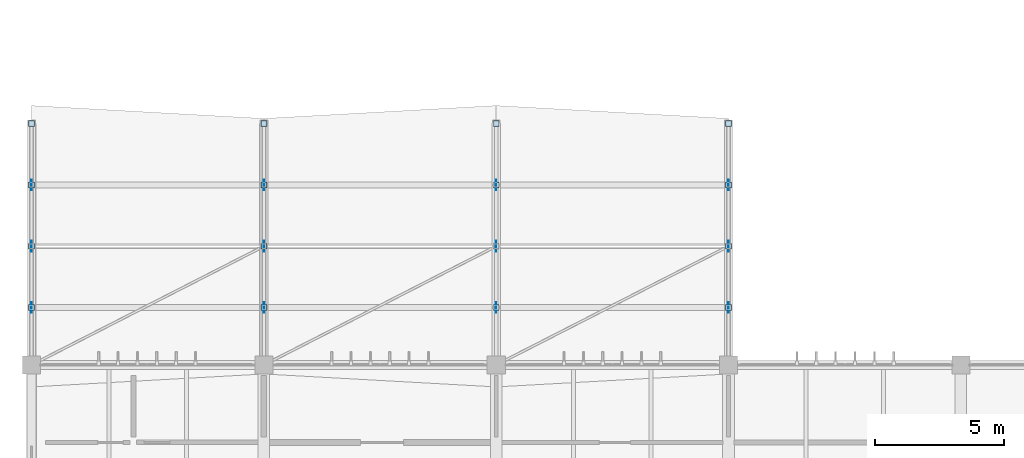
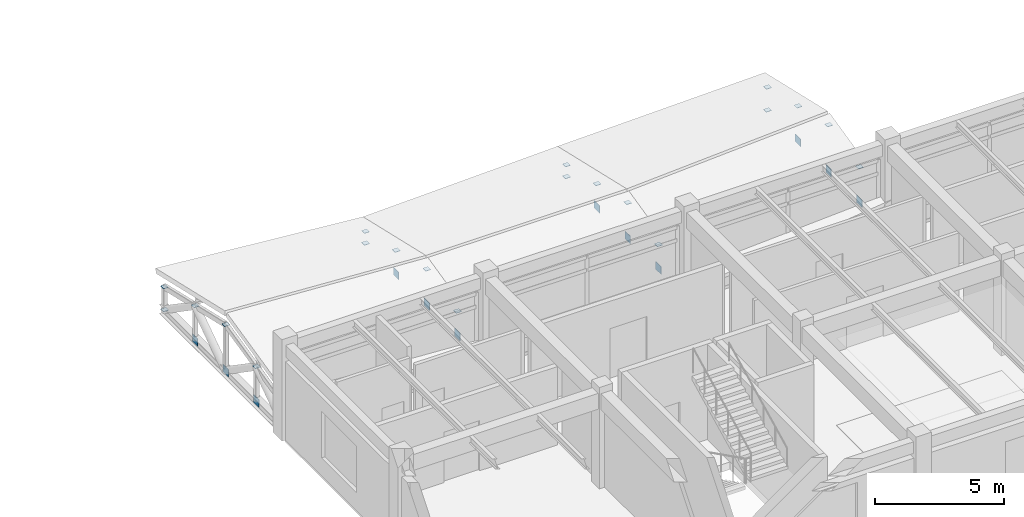
# One storey, part 38 of 61: 32 plates.
"""IFC4 building model written with IfcOpenShell, lengths in metres."""

from ifc_helpers import new_model, si_unit, direction, frame, origin, origin_2d, place, context, subcontext, project, spatial, rectangle, extrude, material, layer, layer_set, type_object, element, save


model = new_model("IFC4")

# Units and contexts
model_context = context("Model", 3, precision=1e-05, world=origin(), true_north=direction((0.0, 1.0)))
body_context = subcontext(model_context, "Body", "Model", "MODEL_VIEW")
ifc_project = project(units=[si_unit("LENGTHUNIT", "METRE"), si_unit("AREAUNIT", "SQUARE_METRE"), si_unit("VOLUMEUNIT", "CUBIC_METRE"), si_unit("PLANEANGLEUNIT", "RADIAN"), si_unit("MASSUNIT", "GRAM", prefix="KILO")], contexts=[model_context])

# Site, building, storey
site_placement = place(None, origin())
site = spatial("IfcSite", under=ifc_project, at=site_placement, CompositionType="ELEMENT")
building_placement = place(site_placement, origin())
building = spatial("IfcBuilding", under=site, at=building_placement, Name="Bozkorgan Art Gallery", CompositionType="ELEMENT")
storey_placement = place(building_placement, frame((0.0, 0.0, 10.199951171875)))
storey = spatial("IfcBuildingStorey", under=building, at=storey_placement, Name="L02", CompositionType="ELEMENT", Elevation=10.199951171875)

# Plates
ifc_material = material(Name="Steel S355J2", Category="steel")
ifc_layer_1 = layer(ifc_material, 0.01611328125, Name="Steel S355J2")
ifc_layer_set_1 = layer_set([ifc_layer_1], Name="Steel S355J2")
plate_type_1 = type_object("IfcPlateType", Name="PLATE-EC-05", PredefinedType="USERDEFINED", material=ifc_layer_set_1)
for number, where, z_axis, x_axis, name in (
    (1, (2.0, 22.22509765625, 1.85107421875), (0.0, 0.0, 1.0), (1.0, 0.0, 0.0), "Truss V1 post cap 1.1"),
    (2, (2.0, 24.60009765625, 2.3994140625), (0.0, 0.0, 1.0), (1.0, 0.0, 0.0), "Truss V1 post cap 1.2"),
    (3, (2.0, 26.97509765625, 1.85107421875), (0.0, 0.0, 1.0), (1.0, 0.0, 0.0), "Truss V1 post cap 1.3"),
    (4, (2.0, 29.35009765625, 1.302734375), (0.0, 0.0, 1.0), (1.0, 0.0, 0.0), "Truss V1 post cap 1.4"),
    (5, (2.0, 29.35009765625, 0.217041015625), (0.0, 0.0, 1.0), (1.0, 0.0, 0.0), "Truss V1 post base cap 1.4"),
    (6, (11.0, 22.22509765625, 1.32373046875), (0.0, 0.0, 1.0), (1.0, 0.0, 0.0), "Truss V1 post cap 2.1"),
    (7, (11.0, 24.60009765625, 1.8720703125), (0.0, 0.0, 1.0), (1.0, 0.0, 0.0), "Truss V1 post cap 2.2"),
    (8, (11.0, 26.97509765625, 1.32373046875), (0.0, 0.0, 1.0), (1.0, 0.0, 0.0), "Truss V1 post cap 2.3"),
    (9, (11.0, 29.35009765625, 0.775390625), (0.0, 0.0, 1.0), (1.0, 0.0, 0.0), "Truss V1 post cap 2.4"),
    (10, (11.0, 29.35009765625, 0.217041015625), (0.0, 0.0, 1.0), (1.0, 0.0, 0.0), "Truss V1 post base cap 2.4"),
    (11, (20.0, 22.22509765625, 1.32373046875), (0.0, 0.0, 1.0), (1.0, 0.0, 0.0), "Truss V1 post cap 3.1"),
    (12, (20.0, 24.60009765625, 1.8720703125), (0.0, 0.0, 1.0), (1.0, 0.0, 0.0), "Truss V1 post cap 3.2"),
    (13, (20.0, 26.97509765625, 1.32373046875), (0.0, 0.0, 1.0), (1.0, 0.0, 0.0), "Truss V1 post cap 3.3"),
    (14, (20.0, 29.35009765625, 0.775390625), (0.0, 0.0, 1.0), (1.0, 0.0, 0.0), "Truss V1 post cap 3.4"),
    (15, (20.0, 29.35009765625, 0.217041015625), (0.0, 0.0, 1.0), (1.0, 0.0, 0.0), "Truss V1 post base cap 3.4"),
    (16, (29.0, 22.22509765625, 1.85107421875), (0.0, 0.0, 1.0), (1.0, 0.0, 0.0), "Truss V1 post cap 4.1"),
    (17, (29.0, 24.60009765625, 2.3994140625), (0.0, 0.0, 1.0), (1.0, 0.0, 0.0), "Truss V1 post cap 4.2"),
    (18, (29.0, 26.97509765625, 1.85107421875), (0.0, 0.0, 1.0), (1.0, 0.0, 0.0), "Truss V1 post cap 4.3"),
    (19, (29.0, 29.35009765625, 1.302734375), (0.0, 0.0, 1.0), (1.0, 0.0, 0.0), "Truss V1 post cap 4.4"),
    (20, (29.0, 29.35009765625, 0.217041015625), (0.0, 0.0, 1.0), (1.0, 0.0, 0.0), "Truss V1 post base cap 4.4"),
):
    element("IfcPlate", number, at=place(storey_placement, frame(where, z_axis=z_axis, x_axis=x_axis)), inside=storey, type_object=plate_type_1, Name=name, ObjectType="END CAP PLATE", PredefinedType="USERDEFINED", context=body_context, shape_type="SweptSolid", body=[
        extrude(rectangle(XDim=0.22998046875, YDim=0.22998046875, at=origin_2d()), origin(), (0.0, 0.0, 1.0), 0.01611328125),
    ])
ifc_layer_2 = layer(ifc_material, 0.02392578125, Name="Steel S355J2")
ifc_layer_set_2 = layer_set([ifc_layer_2], Name="Steel S355J2")
plate_type_2 = type_object("IfcPlateType", Name="PLATE-GP-38", PredefinedType="USERDEFINED", material=ifc_layer_set_2)
for number, where, z_axis, x_axis, name in (
    (21, (2.0, 24.60009765625, 0.044921875), (0.0, 0.0, 1.0), (1.0, 0.0, 0.0), "Truss V1 span 1 node gusset TN-2"),
    (22, (11.0, 24.60009765625, 0.044921875), (0.0, 0.0, 1.0), (1.0, 0.0, 0.0), "Truss V1 span 2 node gusset TN-2"),
    (23, (20.0, 24.60009765625, 0.044921875), (0.0, 0.0, 1.0), (1.0, 0.0, 0.0), "Truss V1 span 3 node gusset TN-2"),
    (24, (29.0, 24.60009765625, 0.044921875), (0.0, 0.0, 1.0), (1.0, 0.0, 0.0), "Truss V1 span 4 node gusset TN-2"),
):
    element("IfcPlate", number, at=place(storey_placement, frame(where, z_axis=z_axis, x_axis=x_axis)), inside=storey, type_object=plate_type_2, Name=name, ObjectType="GUSSET PLATE", PredefinedType="USERDEFINED", context=body_context, shape_type="SweptSolid", body=[
        extrude(rectangle(XDim=0.02001953125, YDim=0.419921875, at=origin_2d()), origin(), (0.0, 0.0, 1.0), 0.360107421875),
    ])
ifc_layer_3 = layer(ifc_material, 0.02001953125, Name="Steel S355J2")
ifc_layer_set_3 = layer_set([ifc_layer_3], Name="Steel S355J2")
plate_type_3 = type_object("IfcPlateType", Name="PLATE-GP-55", PredefinedType="USERDEFINED", material=ifc_layer_set_3)
for number, where, z_axis, x_axis, name in (
    (25, (2.0, 22.22509765625, 0.044921875), (0.0, 0.0, 1.0), (1.0, 0.0, 0.0), "Truss V1 span 1 node gusset TN-1"),
    (26, (2.0, 26.97509765625, 0.044921875), (0.0, 0.0, 1.0), (1.0, 0.0, 0.0), "Truss V1 span 1 node gusset TN-3"),
    (27, (11.0, 22.22509765625, 0.044921875), (0.0, 0.0, 1.0), (1.0, 0.0, 0.0), "Truss V1 span 2 node gusset TN-1"),
    (28, (11.0, 26.97509765625, 0.044921875), (0.0, 0.0, 1.0), (1.0, 0.0, 0.0), "Truss V1 span 2 node gusset TN-3"),
    (29, (20.0, 22.22509765625, 0.044921875), (0.0, 0.0, 1.0), (1.0, 0.0, 0.0), "Truss V1 span 3 node gusset TN-1"),
    (30, (20.0, 26.97509765625, 0.044921875), (0.0, 0.0, 1.0), (1.0, 0.0, 0.0), "Truss V1 span 3 node gusset TN-3"),
    (31, (29.0, 22.22509765625, 0.044921875), (0.0, 0.0, 1.0), (1.0, 0.0, 0.0), "Truss V1 span 4 node gusset TN-1"),
    (32, (29.0, 26.97509765625, 0.044921875), (0.0, 0.0, 1.0), (1.0, 0.0, 0.0), "Truss V1 span 4 node gusset TN-3"),
):
    element("IfcPlate", number, at=place(storey_placement, frame(where, z_axis=z_axis, x_axis=x_axis)), inside=storey, type_object=plate_type_3, Name=name, ObjectType="GUSSET PLATE", PredefinedType="USERDEFINED", context=body_context, shape_type="SweptSolid", body=[
        extrude(rectangle(XDim=0.02001953125, YDim=0.419921875, at=origin_2d()), origin(), (0.0, 0.0, 1.0), 0.360107421875),
    ])

save(model, "model.ifc")
